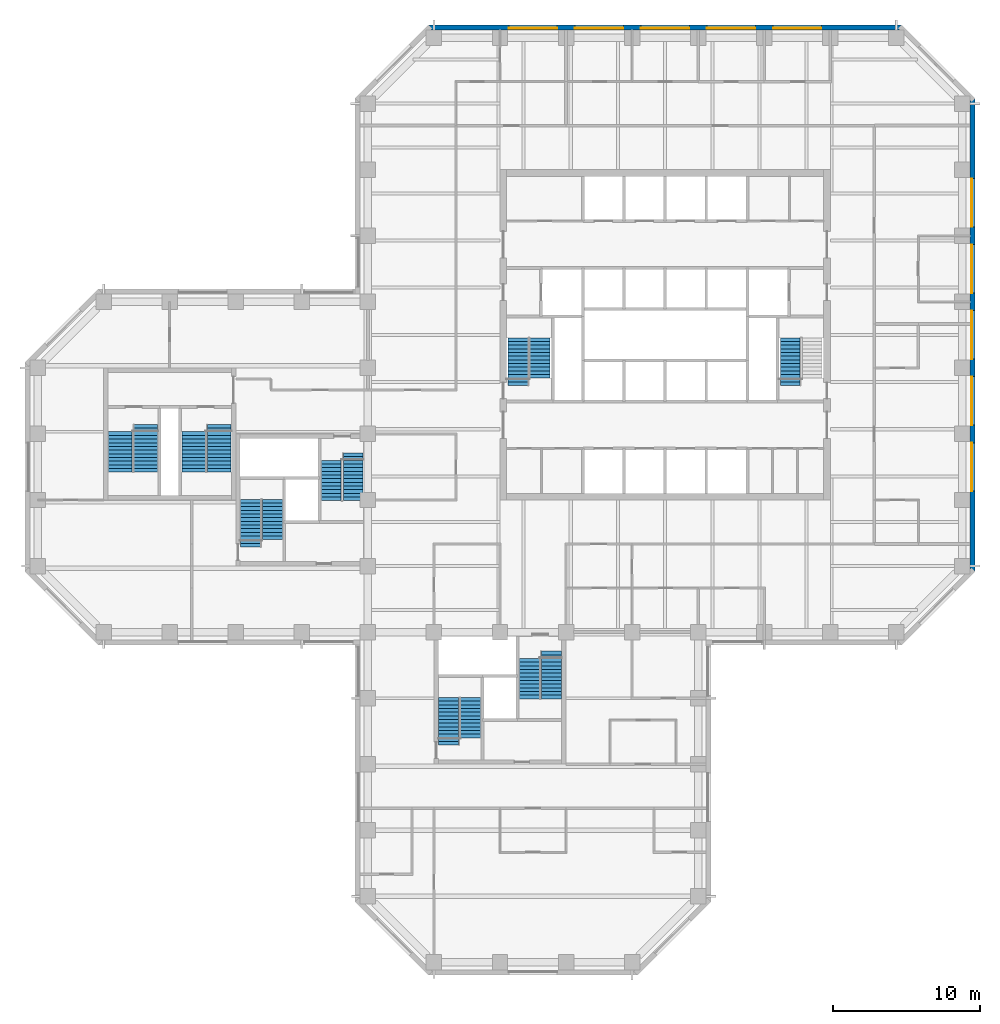
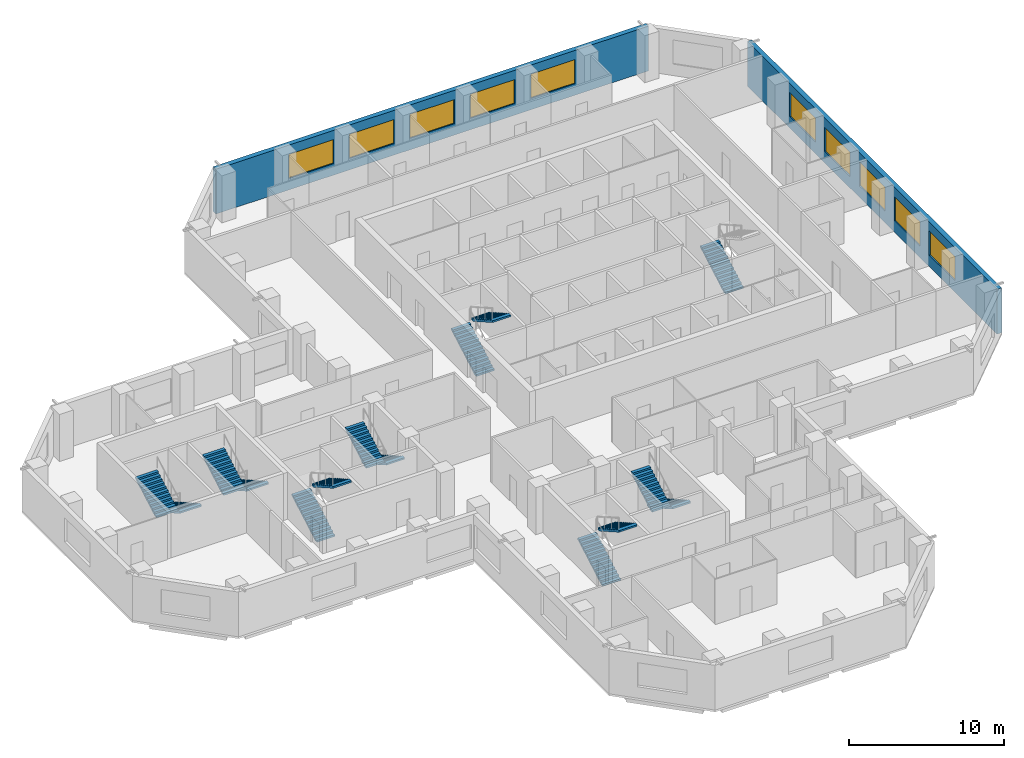
# One storey, part 9 of 11: 15 stair flights, 10 windows, 2 walls, 10 openings, 8 elements without a shape of their own.
"""IFC4 building model written with IfcOpenShell, lengths in metres."""

from ifc_helpers import new_model, si_unit, direction, frame, frame_2d, origin, place, context, subcontext, project, spatial, polyline, rectangle, outline, extrude, material, layer, layer_set, constituent, constituent_set, type_object, element, fill, aggregate, save


model = new_model("IFC4")

# Units and contexts
model_context = context("Model", 3, precision=1e-05, world=origin(), true_north=direction((0.0, 1.0)))
body_context = subcontext(model_context, "Body", "Model", "MODEL_VIEW")
ifc_project = project(units=[si_unit("LENGTHUNIT", "METRE"), si_unit("AREAUNIT", "SQUARE_METRE"), si_unit("VOLUMEUNIT", "CUBIC_METRE"), si_unit("PLANEANGLEUNIT", "RADIAN"), si_unit("MASSUNIT", "GRAM", prefix="KILO")], contexts=[model_context])

# Site, building, storey
site_placement = place(None, origin())
site = spatial("IfcSite", under=ifc_project, at=site_placement, CompositionType="ELEMENT")
building_placement = place(site_placement, origin())
building = spatial("IfcBuilding", under=site, at=building_placement, Name="Quoin Convention Tower", CompositionType="ELEMENT")
storey_placement = place(building_placement, frame((0.0, 0.0, 93.699951171875)))
storey = spatial("IfcBuildingStorey", under=building, at=storey_placement, Name="L24", CompositionType="ELEMENT", Elevation=93.699951171875)

# Wall, openings, windows
ifc_material_1 = material(Name="Brick masonry", Category="masonry")
ifc_layer = layer(ifc_material_1, 0.35009765625)
ifc_layer_set = layer_set([ifc_layer], Name="Brick masonry")
wall_type = type_object("IfcWallType", Name="Brick facade wall", PredefinedType="STANDARD", material=ifc_layer_set)
wall_1_placement = place(storey_placement, frame((77.199951171875, 44.6376953125, 0.0), z_axis=(0.0, 0.0, 1.0), x_axis=(0.0, 1.0, 0.0)))
wall_1 = element("IfcWall", 1, at=wall_1_placement, inside=storey, type_object=wall_type, Name="fw-L24-76500_45000", PredefinedType="STANDARD", context=body_context, shape_type="SweptSolid", body=[
    extrude(rectangle(XDim=32.224609375, YDim=0.35009765625, at=frame_2d((16.1123046875, 0.0))), origin(), (0.0, 0.0, 1.0), 3.525146484375),
])
opening_1_placement = place(wall_1_placement, frame((5.46240234375, 0.0, 0.89990234375)))
opening_1 = element("IfcOpeningElement", 2, at=opening_1_placement, cuts=wall_1, Name="Opening W-02", PredefinedType="OPENING", context=body_context, shape_type="SweptSolid", body=[
    extrude(rectangle(XDim=3.300048828125, YDim=1.89990234375, at=frame_2d((1.64990234375, 0.949951171875))), frame((0.0, 0.18505859375, 0.0), z_axis=(0.0, -1.0, 0.0), x_axis=(1.0, 0.0, 0.0)), (0.0, 0.0, 1.0), 0.3701171875),
])
opening_2_placement = place(wall_1_placement, frame((9.96240234375, 0.0, 0.89990234375)))
opening_2 = element("IfcOpeningElement", 3, at=opening_2_placement, cuts=wall_1, Name="Opening W-02", PredefinedType="OPENING", context=body_context, shape_type="SweptSolid", body=[
    extrude(rectangle(XDim=3.300048828125, YDim=1.89990234375, at=frame_2d((1.64990234375, 0.949951171875))), frame((0.0, 0.18505859375, 0.0), z_axis=(0.0, -1.0, 0.0), x_axis=(1.0, 0.0, 0.0)), (0.0, 0.0, 1.0), 0.3701171875),
])
opening_3_placement = place(wall_1_placement, frame((14.46240234375, 0.0, 0.89990234375)))
opening_3 = element("IfcOpeningElement", 4, at=opening_3_placement, cuts=wall_1, Name="Opening W-02", PredefinedType="OPENING", context=body_context, shape_type="SweptSolid", body=[
    extrude(rectangle(XDim=3.300048828125, YDim=1.89990234375, at=frame_2d((1.64990234375, 0.949951171875))), frame((0.0, 0.18505859375, 0.0), z_axis=(0.0, -1.0, 0.0), x_axis=(1.0, 0.0, 0.0)), (0.0, 0.0, 1.0), 0.3701171875),
])
opening_4_placement = place(wall_1_placement, frame((18.96240234375, 0.0, 0.89990234375)))
opening_4 = element("IfcOpeningElement", 5, at=opening_4_placement, cuts=wall_1, Name="Opening W-02", PredefinedType="OPENING", context=body_context, shape_type="SweptSolid", body=[
    extrude(rectangle(XDim=3.300048828125, YDim=1.89990234375, at=frame_2d((1.64990234375, 0.949951171875))), frame((0.0, 0.18505859375, 0.0), z_axis=(0.0, -1.0, 0.0), x_axis=(1.0, 0.0, 0.0)), (0.0, 0.0, 1.0), 0.3701171875),
])
opening_5_placement = place(wall_1_placement, frame((23.46240234375, 0.0, 0.89990234375)))
opening_5 = element("IfcOpeningElement", 6, at=opening_5_placement, cuts=wall_1, Name="Opening W-02", PredefinedType="OPENING", context=body_context, shape_type="SweptSolid", body=[
    extrude(rectangle(XDim=3.300048828125, YDim=1.89990234375, at=frame_2d((1.64990234375, 0.949951171875))), frame((0.0, 0.18505859375, 0.0), z_axis=(0.0, -1.0, 0.0), x_axis=(1.0, 0.0, 0.0)), (0.0, 0.0, 1.0), 0.3701171875),
])
ifc_material_2 = material(Name="Aluminium", Category="aluminium")
ifc_constituent_1 = constituent(ifc_material_2, Name="Frame")
ifc_material_3 = material(Name="Insulated glass", Category="glass")
ifc_constituent_2 = constituent(ifc_material_3, Name="Glazing")
ifc_constituent_set = constituent_set(constituents=[ifc_constituent_1, ifc_constituent_2], Name="Aluminium")
window_type = type_object("IfcWindowType", Name="Office window", PartitioningType="DOUBLE_PANEL_VERTICAL", PredefinedType="WINDOW", material=ifc_constituent_set)
window_1_placement = place(opening_1_placement, origin())
window_1 = element("IfcWindow", 7, at=window_1_placement, inside=storey, type_object=window_type, Name="win-L24-77200_51750", OverallHeight=1.89990234375, OverallWidth=3.300048828125, PartitioningType="SINGLE_PANEL", PredefinedType="WINDOW", context=body_context, shape_type="SweptSolid", body=[
    extrude(rectangle(XDim=3.300048828125, YDim=1.89990234375, at=frame_2d((1.64990234375, 0.949951171875))), frame((0.0, 0.0849609375, 0.0), z_axis=(0.0, -1.0, 0.0), x_axis=(1.0, 0.0, 0.0)), (0.0, 0.0, 1.0), 0.06005859375),
])
fill(opening_1, window_1)
window_2_placement = place(opening_2_placement, origin())
window_2 = element("IfcWindow", 8, at=window_2_placement, inside=storey, type_object=window_type, Name="win-L24-77200_56250", OverallHeight=1.89990234375, OverallWidth=3.300048828125, PartitioningType="SINGLE_PANEL", PredefinedType="WINDOW", context=body_context, shape_type="SweptSolid", body=[
    extrude(rectangle(XDim=3.300048828125, YDim=1.89990234375, at=frame_2d((1.64990234375, 0.949951171875))), frame((0.0, 0.0849609375, 0.0), z_axis=(0.0, -1.0, 0.0), x_axis=(1.0, 0.0, 0.0)), (0.0, 0.0, 1.0), 0.06005859375),
])
fill(opening_2, window_2)
window_3_placement = place(opening_3_placement, origin())
window_3 = element("IfcWindow", 9, at=window_3_placement, inside=storey, type_object=window_type, Name="win-L24-77200_60750", OverallHeight=1.89990234375, OverallWidth=3.300048828125, PartitioningType="SINGLE_PANEL", PredefinedType="WINDOW", context=body_context, shape_type="SweptSolid", body=[
    extrude(rectangle(XDim=3.300048828125, YDim=1.89990234375, at=frame_2d((1.64990234375, 0.949951171875))), frame((0.0, 0.0849609375, 0.0), z_axis=(0.0, -1.0, 0.0), x_axis=(1.0, 0.0, 0.0)), (0.0, 0.0, 1.0), 0.06005859375),
])
fill(opening_3, window_3)
window_4_placement = place(opening_4_placement, origin())
window_4 = element("IfcWindow", 10, at=window_4_placement, inside=storey, type_object=window_type, Name="win-L24-77200_65250", OverallHeight=1.89990234375, OverallWidth=3.300048828125, PartitioningType="SINGLE_PANEL", PredefinedType="WINDOW", context=body_context, shape_type="SweptSolid", body=[
    extrude(rectangle(XDim=3.300048828125, YDim=1.89990234375, at=frame_2d((1.64990234375, 0.949951171875))), frame((0.0, 0.0849609375, 0.0), z_axis=(0.0, -1.0, 0.0), x_axis=(1.0, 0.0, 0.0)), (0.0, 0.0, 1.0), 0.06005859375),
])
fill(opening_4, window_4)
window_5_placement = place(opening_5_placement, origin())
window_5 = element("IfcWindow", 11, at=window_5_placement, inside=storey, type_object=window_type, Name="win-L24-77200_69750", OverallHeight=1.89990234375, OverallWidth=3.300048828125, PartitioningType="SINGLE_PANEL", PredefinedType="WINDOW", context=body_context, shape_type="SweptSolid", body=[
    extrude(rectangle(XDim=3.300048828125, YDim=1.89990234375, at=frame_2d((1.64990234375, 0.949951171875))), frame((0.0, 0.0849609375, 0.0), z_axis=(0.0, -1.0, 0.0), x_axis=(1.0, 0.0, 0.0)), (0.0, 0.0, 1.0), 0.06005859375),
])
fill(opening_5, window_5)

wall_2_placement = place(storey_placement, frame((72.3623046875, 81.699951171875, 0.0), z_axis=(0.0, 0.0, 1.0), x_axis=(-1.0, 0.0, 0.0)))
wall_2 = element("IfcWall", 12, at=wall_2_placement, inside=storey, type_object=wall_type, Name="fw-L24-72000_81000", PredefinedType="STANDARD", context=body_context, shape_type="SweptSolid", body=[
    extrude(rectangle(XDim=32.224609375, YDim=0.35009765625, at=frame_2d((16.1123046875, 0.0))), origin(), (0.0, 0.0, 1.0), 3.525146484375),
])
opening_6_placement = place(wall_2_placement, frame((5.46240234375, 0.0, 0.89990234375)))
opening_6 = element("IfcOpeningElement", 13, at=opening_6_placement, cuts=wall_2, Name="Opening W-02", PredefinedType="OPENING", context=body_context, shape_type="SweptSolid", body=[
    extrude(rectangle(XDim=3.300048828125, YDim=1.89990234375, at=frame_2d((1.64990234375, 0.949951171875))), frame((0.0, 0.18505859375, 0.0), z_axis=(0.0, -1.0, 0.0), x_axis=(1.0, 0.0, 0.0)), (0.0, 0.0, 1.0), 0.3701171875),
])
opening_7_placement = place(wall_2_placement, frame((9.96240234375, 0.0, 0.89990234375)))
opening_7 = element("IfcOpeningElement", 14, at=opening_7_placement, cuts=wall_2, Name="Opening W-02", PredefinedType="OPENING", context=body_context, shape_type="SweptSolid", body=[
    extrude(rectangle(XDim=3.300048828125, YDim=1.89990234375, at=frame_2d((1.64990234375, 0.949951171875))), frame((0.0, 0.18505859375, 0.0), z_axis=(0.0, -1.0, 0.0), x_axis=(1.0, 0.0, 0.0)), (0.0, 0.0, 1.0), 0.3701171875),
])
opening_8_placement = place(wall_2_placement, frame((14.46240234375, 0.0, 0.89990234375)))
opening_8 = element("IfcOpeningElement", 15, at=opening_8_placement, cuts=wall_2, Name="Opening W-02", PredefinedType="OPENING", context=body_context, shape_type="SweptSolid", body=[
    extrude(rectangle(XDim=3.300048828125, YDim=1.89990234375, at=frame_2d((1.64990234375, 0.949951171875))), frame((0.0, 0.18505859375, 0.0), z_axis=(0.0, -1.0, 0.0), x_axis=(1.0, 0.0, 0.0)), (0.0, 0.0, 1.0), 0.3701171875),
])
opening_9_placement = place(wall_2_placement, frame((18.96240234375, 0.0, 0.89990234375)))
opening_9 = element("IfcOpeningElement", 16, at=opening_9_placement, cuts=wall_2, Name="Opening W-02", PredefinedType="OPENING", context=body_context, shape_type="SweptSolid", body=[
    extrude(rectangle(XDim=3.300048828125, YDim=1.89990234375, at=frame_2d((1.64990234375, 0.949951171875))), frame((0.0, 0.18505859375, 0.0), z_axis=(0.0, -1.0, 0.0), x_axis=(1.0, 0.0, 0.0)), (0.0, 0.0, 1.0), 0.3701171875),
])
opening_10_placement = place(wall_2_placement, frame((23.46240234375, 0.0, 0.89990234375)))
opening_10 = element("IfcOpeningElement", 17, at=opening_10_placement, cuts=wall_2, Name="Opening W-02", PredefinedType="OPENING", context=body_context, shape_type="SweptSolid", body=[
    extrude(rectangle(XDim=3.300048828125, YDim=1.89990234375, at=frame_2d((1.64990234375, 0.949951171875))), frame((0.0, 0.18505859375, 0.0), z_axis=(0.0, -1.0, 0.0), x_axis=(1.0, 0.0, 0.0)), (0.0, 0.0, 1.0), 0.3701171875),
])
window_6_placement = place(opening_6_placement, origin())
window_6 = element("IfcWindow", 18, at=window_6_placement, inside=storey, type_object=window_type, Name="win-L24-65250_81700", OverallHeight=1.89990234375, OverallWidth=3.300048828125, PartitioningType="SINGLE_PANEL", PredefinedType="WINDOW", context=body_context, shape_type="SweptSolid", body=[
    extrude(rectangle(XDim=3.300048828125, YDim=1.89990234375, at=frame_2d((1.64990234375, 0.949951171875))), frame((0.0, 0.0849609375, 0.0), z_axis=(0.0, -1.0, 0.0), x_axis=(1.0, 0.0, 0.0)), (0.0, 0.0, 1.0), 0.06005859375),
])
fill(opening_6, window_6)
window_7_placement = place(opening_7_placement, origin())
window_7 = element("IfcWindow", 19, at=window_7_placement, inside=storey, type_object=window_type, Name="win-L24-60750_81700", OverallHeight=1.89990234375, OverallWidth=3.300048828125, PartitioningType="SINGLE_PANEL", PredefinedType="WINDOW", context=body_context, shape_type="SweptSolid", body=[
    extrude(rectangle(XDim=3.300048828125, YDim=1.89990234375, at=frame_2d((1.64990234375, 0.949951171875))), frame((0.0, 0.0849609375, 0.0), z_axis=(0.0, -1.0, 0.0), x_axis=(1.0, 0.0, 0.0)), (0.0, 0.0, 1.0), 0.06005859375),
])
fill(opening_7, window_7)
window_8_placement = place(opening_8_placement, origin())
window_8 = element("IfcWindow", 20, at=window_8_placement, inside=storey, type_object=window_type, Name="win-L24-56250_81700", OverallHeight=1.89990234375, OverallWidth=3.300048828125, PartitioningType="SINGLE_PANEL", PredefinedType="WINDOW", context=body_context, shape_type="SweptSolid", body=[
    extrude(rectangle(XDim=3.300048828125, YDim=1.89990234375, at=frame_2d((1.64990234375, 0.949951171875))), frame((0.0, 0.0849609375, 0.0), z_axis=(0.0, -1.0, 0.0), x_axis=(1.0, 0.0, 0.0)), (0.0, 0.0, 1.0), 0.06005859375),
])
fill(opening_8, window_8)
window_9_placement = place(opening_9_placement, origin())
window_9 = element("IfcWindow", 21, at=window_9_placement, inside=storey, type_object=window_type, Name="win-L24-51750_81700", OverallHeight=1.89990234375, OverallWidth=3.300048828125, PartitioningType="SINGLE_PANEL", PredefinedType="WINDOW", context=body_context, shape_type="SweptSolid", body=[
    extrude(rectangle(XDim=3.300048828125, YDim=1.89990234375, at=frame_2d((1.64990234375, 0.949951171875))), frame((0.0, 0.0849609375, 0.0), z_axis=(0.0, -1.0, 0.0), x_axis=(1.0, 0.0, 0.0)), (0.0, 0.0, 1.0), 0.06005859375),
])
fill(opening_9, window_9)
window_10_placement = place(opening_10_placement, origin())
window_10 = element("IfcWindow", 22, at=window_10_placement, inside=storey, type_object=window_type, Name="win-L24-47250_81700", OverallHeight=1.89990234375, OverallWidth=3.300048828125, PartitioningType="SINGLE_PANEL", PredefinedType="WINDOW", context=body_context, shape_type="SweptSolid", body=[
    extrude(rectangle(XDim=3.300048828125, YDim=1.89990234375, at=frame_2d((1.64990234375, 0.949951171875))), frame((0.0, 0.0849609375, 0.0), z_axis=(0.0, -1.0, 0.0), x_axis=(1.0, 0.0, 0.0)), (0.0, 0.0, 1.0), 0.06005859375),
])
fill(opening_10, window_10)

# Stair, stair flights
ifc_material_4 = material(Name="Concrete C40", Category="concrete")
stair_type_1 = type_object("IfcStairType", Name="Exit stair two-flight 1350", PredefinedType="HALF_TURN_STAIR", material=ifc_material_4)
stair_1_placement = place(storey_placement, origin())
stair_1 = element("IfcStair", 23, at=stair_1_placement, inside=storey, type_object=stair_type_1, Name="SD1 L24", PredefinedType="HALF_TURN_STAIR")
stair_flight_type_1 = type_object("IfcStairFlightType", Name="Stair flight 1350", PredefinedType="STRAIGHT", material=ifc_material_4)
stair_flight_1_placement = place(storey_placement, frame((46.22509765625, 57.300048828125, 0.0), z_axis=(0.0, 0.0, 1.0), x_axis=(0.0, 1.0, 0.0)))
stair_flight_1 = element("IfcStairFlight", 24, at=stair_flight_1_placement, type_object=stair_flight_type_1, Name="ST1 flight 1", NumberOfRisers=14, NumberOfTreads=13, PredefinedType="STRAIGHT", RiserHeight=0.142307692, TreadLength=0.25, context=body_context, shape_type="SweptSolid", body=[
    extrude(outline(polyline([(0.0, 0.0), (0.0, 0.142333984375), (0.25, 0.142333984375), (0.25, 0.28466796875), (0.5, 0.28466796875), (0.5, 0.427001953125), (0.75, 0.427001953125), (0.75, 0.5693359375), (1.0, 0.5693359375), (1.0, 0.71142578125), (1.25, 0.71142578125), (1.25, 0.853759765625), (1.5, 0.853759765625), (1.5, 0.99609375), (1.75, 0.99609375), (1.75, 1.138427734375), (2.0, 1.138427734375), (2.0, 1.28076171875), (2.25, 1.28076171875), (2.25, 1.423095703125), (2.5, 1.423095703125), (2.5, 1.5654296875), (2.75, 1.5654296875), (2.75, 1.707763671875), (3.0, 1.707763671875), (3.0, 1.85009765625), (3.25, 1.85009765625), (3.25, 1.9921875), (3.25, 1.711669921875), (0.242919921875, 0.0), (0.0, 0.0)])), frame((0.0, 0.675048828125, 0.0), z_axis=(0.0, -1.0, 0.0), x_axis=(1.0, 0.0, 0.0)), (0.0, 0.0, 1.0), 1.35009765625),
])
stair_flight_2_placement = place(storey_placement, frame((47.72509765625, 60.550048828125, 1.992431640625), z_axis=(0.0, 0.0, 1.0), x_axis=(0.0, -1.0, 0.0)))
stair_flight_2 = element("IfcStairFlight", 25, at=stair_flight_2_placement, type_object=stair_flight_type_1, Name="ST1 flight 2", NumberOfRisers=12, NumberOfTreads=11, PredefinedType="STRAIGHT", RiserHeight=0.142307692, TreadLength=0.25, context=body_context, shape_type="SweptSolid", body=[
    extrude(outline(polyline([(0.0, 0.0), (0.0, 0.142333984375), (0.25, 0.142333984375), (0.25, 0.28466796875), (0.5, 0.28466796875), (0.5, 0.427001953125), (0.75, 0.427001953125), (0.75, 0.5693359375), (1.0, 0.5693359375), (1.0, 0.71142578125), (1.25, 0.71142578125), (1.25, 0.853759765625), (1.5, 0.853759765625), (1.5, 0.99609375), (1.75, 0.99609375), (1.75, 1.138427734375), (2.0, 1.138427734375), (2.0, 1.28076171875), (2.25, 1.28076171875), (2.25, 1.423095703125), (2.5, 1.423095703125), (2.5, 1.5654296875), (2.75, 1.5654296875), (2.75, 1.707763671875), (2.75, 1.42724609375), (0.242919921875, 0.0), (0.0, 0.0)])), frame((0.0, 0.675048828125, 0.0), z_axis=(0.0, -1.0, 0.0), x_axis=(1.0, 0.0, 0.0)), (0.0, 0.0, 1.0), 1.35009765625),
])
aggregate(stair_1, [stair_flight_1, stair_flight_2])

# Stair, stair flight
stair_2_placement = place(storey_placement, origin())
stair_2 = element("IfcStair", 26, at=stair_2_placement, inside=storey, type_object=stair_type_1, Name="SD2 L24", PredefinedType="HALF_TURN_STAIR")
stair_flight_3_placement = place(storey_placement, frame((64.77490234375, 57.300048828125, 0.0), z_axis=(0.0, 0.0, 1.0), x_axis=(0.0, 1.0, 0.0)))
stair_flight_3 = element("IfcStairFlight", 27, at=stair_flight_3_placement, type_object=stair_flight_type_1, Name="ST2 flight 1", NumberOfRisers=14, NumberOfTreads=13, PredefinedType="STRAIGHT", RiserHeight=0.142307692, TreadLength=0.25, context=body_context, shape_type="SweptSolid", body=[
    extrude(outline(polyline([(0.0, 0.0), (0.0, 0.142333984375), (0.25, 0.142333984375), (0.25, 0.28466796875), (0.5, 0.28466796875), (0.5, 0.427001953125), (0.75, 0.427001953125), (0.75, 0.5693359375), (1.0, 0.5693359375), (1.0, 0.71142578125), (1.25, 0.71142578125), (1.25, 0.853759765625), (1.5, 0.853759765625), (1.5, 0.99609375), (1.75, 0.99609375), (1.75, 1.138427734375), (2.0, 1.138427734375), (2.0, 1.28076171875), (2.25, 1.28076171875), (2.25, 1.423095703125), (2.5, 1.423095703125), (2.5, 1.5654296875), (2.75, 1.5654296875), (2.75, 1.707763671875), (3.0, 1.707763671875), (3.0, 1.85009765625), (3.25, 1.85009765625), (3.25, 1.9921875), (3.25, 1.711669921875), (0.242919921875, 0.0), (0.0, 0.0)])), frame((0.0, 0.675048828125, 0.0), z_axis=(0.0, -1.0, 0.0), x_axis=(1.0, 0.0, 0.0)), (0.0, 0.0, 1.0), 1.35009765625),
])
aggregate(stair_2, [stair_flight_3])

# Stair, stair flights
stair_3_placement = place(storey_placement, origin())
stair_3 = element("IfcStair", 28, at=stair_3_placement, inside=storey, type_object=stair_type_1, Name="SD3 L24", PredefinedType="HALF_TURN_STAIR")
stair_flight_4_placement = place(storey_placement, frame((28.0, 46.300048828125, 0.0), z_axis=(0.0, 0.0, 1.0), x_axis=(0.0, 1.0, 0.0)))
stair_flight_4 = element("IfcStairFlight", 29, at=stair_flight_4_placement, type_object=stair_flight_type_1, Name="ST3 flight 1", NumberOfRisers=14, NumberOfTreads=13, PredefinedType="STRAIGHT", RiserHeight=0.142307692, TreadLength=0.25, context=body_context, shape_type="SweptSolid", body=[
    extrude(outline(polyline([(0.0, 0.0), (0.0, 0.142333984375), (0.25, 0.142333984375), (0.25, 0.28466796875), (0.5, 0.28466796875), (0.5, 0.427001953125), (0.75, 0.427001953125), (0.75, 0.5693359375), (1.0, 0.5693359375), (1.0, 0.71142578125), (1.25, 0.71142578125), (1.25, 0.853759765625), (1.5, 0.853759765625), (1.5, 0.99609375), (1.75, 0.99609375), (1.75, 1.138427734375), (2.0, 1.138427734375), (2.0, 1.28076171875), (2.25, 1.28076171875), (2.25, 1.423095703125), (2.5, 1.423095703125), (2.5, 1.5654296875), (2.75, 1.5654296875), (2.75, 1.707763671875), (3.0, 1.707763671875), (3.0, 1.85009765625), (3.25, 1.85009765625), (3.25, 1.9921875), (3.25, 1.711669921875), (0.242919921875, 0.0), (0.0, 0.0)])), frame((0.0, 0.675048828125, 0.0), z_axis=(0.0, -1.0, 0.0), x_axis=(1.0, 0.0, 0.0)), (0.0, 0.0, 1.0), 1.35009765625),
])
stair_flight_5_placement = place(storey_placement, frame((29.5, 49.550048828125, 1.992431640625), z_axis=(0.0, 0.0, 1.0), x_axis=(0.0, -1.0, 0.0)))
stair_flight_5 = element("IfcStairFlight", 30, at=stair_flight_5_placement, type_object=stair_flight_type_1, Name="ST3 flight 2", NumberOfRisers=12, NumberOfTreads=11, PredefinedType="STRAIGHT", RiserHeight=0.142307692, TreadLength=0.25, context=body_context, shape_type="SweptSolid", body=[
    extrude(outline(polyline([(0.0, 0.0), (0.0, 0.142333984375), (0.25, 0.142333984375), (0.25, 0.28466796875), (0.5, 0.28466796875), (0.5, 0.427001953125), (0.75, 0.427001953125), (0.75, 0.5693359375), (1.0, 0.5693359375), (1.0, 0.71142578125), (1.25, 0.71142578125), (1.25, 0.853759765625), (1.5, 0.853759765625), (1.5, 0.99609375), (1.75, 0.99609375), (1.75, 1.138427734375), (2.0, 1.138427734375), (2.0, 1.28076171875), (2.25, 1.28076171875), (2.25, 1.423095703125), (2.5, 1.423095703125), (2.5, 1.5654296875), (2.75, 1.5654296875), (2.75, 1.707763671875), (2.75, 1.42724609375), (0.242919921875, 0.0), (0.0, 0.0)])), frame((0.0, 0.675048828125, 0.0), z_axis=(0.0, -1.0, 0.0), x_axis=(1.0, 0.0, 0.0)), (0.0, 0.0, 1.0), 1.35009765625),
])
aggregate(stair_3, [stair_flight_4, stair_flight_5])

stair_4_placement = place(storey_placement, origin())
stair_4 = element("IfcStair", 31, at=stair_4_placement, inside=storey, type_object=stair_type_1, Name="SD4 L24", PredefinedType="HALF_TURN_STAIR")
stair_flight_6_placement = place(storey_placement, frame((35.0, 52.699951171875, 0.0), z_axis=(0.0, 0.0, 1.0), x_axis=(0.0, -1.0, 0.0)))
stair_flight_6 = element("IfcStairFlight", 32, at=stair_flight_6_placement, type_object=stair_flight_type_1, Name="ST4 flight 1", NumberOfRisers=14, NumberOfTreads=13, PredefinedType="STRAIGHT", RiserHeight=0.142307692, TreadLength=0.25, context=body_context, shape_type="SweptSolid", body=[
    extrude(outline(polyline([(0.0, 0.0), (0.0, 0.142333984375), (0.25, 0.142333984375), (0.25, 0.28466796875), (0.5, 0.28466796875), (0.5, 0.427001953125), (0.75, 0.427001953125), (0.75, 0.5693359375), (1.0, 0.5693359375), (1.0, 0.71142578125), (1.25, 0.71142578125), (1.25, 0.853759765625), (1.5, 0.853759765625), (1.5, 0.99609375), (1.75, 0.99609375), (1.75, 1.138427734375), (2.0, 1.138427734375), (2.0, 1.28076171875), (2.25, 1.28076171875), (2.25, 1.423095703125), (2.5, 1.423095703125), (2.5, 1.5654296875), (2.75, 1.5654296875), (2.75, 1.707763671875), (3.0, 1.707763671875), (3.0, 1.85009765625), (3.25, 1.85009765625), (3.25, 1.9921875), (3.25, 1.711669921875), (0.242919921875, 0.0), (0.0, 0.0)])), frame((0.0, 0.675048828125, 0.0), z_axis=(0.0, -1.0, 0.0), x_axis=(1.0, 0.0, 0.0)), (0.0, 0.0, 1.0), 1.35009765625),
])
stair_flight_7_placement = place(storey_placement, frame((33.5, 49.449951171875, 1.992431640625), z_axis=(0.0, 0.0, 1.0), x_axis=(0.0, 1.0, 0.0)))
stair_flight_7 = element("IfcStairFlight", 33, at=stair_flight_7_placement, type_object=stair_flight_type_1, Name="ST4 flight 2", NumberOfRisers=12, NumberOfTreads=11, PredefinedType="STRAIGHT", RiserHeight=0.142307692, TreadLength=0.25, context=body_context, shape_type="SweptSolid", body=[
    extrude(outline(polyline([(0.0, 0.0), (0.0, 0.142333984375), (0.25, 0.142333984375), (0.25, 0.28466796875), (0.5, 0.28466796875), (0.5, 0.427001953125), (0.75, 0.427001953125), (0.75, 0.5693359375), (1.0, 0.5693359375), (1.0, 0.71142578125), (1.25, 0.71142578125), (1.25, 0.853759765625), (1.5, 0.853759765625), (1.5, 0.99609375), (1.75, 0.99609375), (1.75, 1.138427734375), (2.0, 1.138427734375), (2.0, 1.28076171875), (2.25, 1.28076171875), (2.25, 1.423095703125), (2.5, 1.423095703125), (2.5, 1.5654296875), (2.75, 1.5654296875), (2.75, 1.707763671875), (2.75, 1.42724609375), (0.242919921875, 0.0), (0.0, 0.0)])), frame((0.0, 0.675048828125, 0.0), z_axis=(0.0, -1.0, 0.0), x_axis=(1.0, 0.0, 0.0)), (0.0, 0.0, 1.0), 1.35009765625),
])
aggregate(stair_4, [stair_flight_6, stair_flight_7])

stair_5_placement = place(storey_placement, origin())
stair_5 = element("IfcStair", 34, at=stair_5_placement, inside=storey, type_object=stair_type_1, Name="SD5 L24", PredefinedType="HALF_TURN_STAIR")
stair_flight_8_placement = place(storey_placement, frame((41.5, 32.800048828125, 0.0), z_axis=(0.0, 0.0, 1.0), x_axis=(0.0, 1.0, 0.0)))
stair_flight_8 = element("IfcStairFlight", 35, at=stair_flight_8_placement, type_object=stair_flight_type_1, Name="ST5 flight 1", NumberOfRisers=14, NumberOfTreads=13, PredefinedType="STRAIGHT", RiserHeight=0.142307692, TreadLength=0.25, context=body_context, shape_type="SweptSolid", body=[
    extrude(outline(polyline([(0.0, 0.0), (0.0, 0.142333984375), (0.25, 0.142333984375), (0.25, 0.28466796875), (0.5, 0.28466796875), (0.5, 0.427001953125), (0.75, 0.427001953125), (0.75, 0.5693359375), (1.0, 0.5693359375), (1.0, 0.71142578125), (1.25, 0.71142578125), (1.25, 0.853759765625), (1.5, 0.853759765625), (1.5, 0.99609375), (1.75, 0.99609375), (1.75, 1.138427734375), (2.0, 1.138427734375), (2.0, 1.28076171875), (2.25, 1.28076171875), (2.25, 1.423095703125), (2.5, 1.423095703125), (2.5, 1.5654296875), (2.75, 1.5654296875), (2.75, 1.707763671875), (3.0, 1.707763671875), (3.0, 1.85009765625), (3.25, 1.85009765625), (3.25, 1.9921875), (3.25, 1.711669921875), (0.242919921875, 0.0), (0.0, 0.0)])), frame((0.0, 0.675048828125, 0.0), z_axis=(0.0, -1.0, 0.0), x_axis=(1.0, 0.0, 0.0)), (0.0, 0.0, 1.0), 1.35009765625),
])
stair_flight_9_placement = place(storey_placement, frame((43.0, 36.050048828125, 1.992431640625), z_axis=(0.0, 0.0, 1.0), x_axis=(0.0, -1.0, 0.0)))
stair_flight_9 = element("IfcStairFlight", 36, at=stair_flight_9_placement, type_object=stair_flight_type_1, Name="ST5 flight 2", NumberOfRisers=12, NumberOfTreads=11, PredefinedType="STRAIGHT", RiserHeight=0.142307692, TreadLength=0.25, context=body_context, shape_type="SweptSolid", body=[
    extrude(outline(polyline([(0.0, 0.0), (0.0, 0.142333984375), (0.25, 0.142333984375), (0.25, 0.28466796875), (0.5, 0.28466796875), (0.5, 0.427001953125), (0.75, 0.427001953125), (0.75, 0.5693359375), (1.0, 0.5693359375), (1.0, 0.71142578125), (1.25, 0.71142578125), (1.25, 0.853759765625), (1.5, 0.853759765625), (1.5, 0.99609375), (1.75, 0.99609375), (1.75, 1.138427734375), (2.0, 1.138427734375), (2.0, 1.28076171875), (2.25, 1.28076171875), (2.25, 1.423095703125), (2.5, 1.423095703125), (2.5, 1.5654296875), (2.75, 1.5654296875), (2.75, 1.707763671875), (2.75, 1.42724609375), (0.242919921875, 0.0), (0.0, 0.0)])), frame((0.0, 0.675048828125, 0.0), z_axis=(0.0, -1.0, 0.0), x_axis=(1.0, 0.0, 0.0)), (0.0, 0.0, 1.0), 1.35009765625),
])
aggregate(stair_5, [stair_flight_8, stair_flight_9])

stair_6_placement = place(storey_placement, origin())
stair_6 = element("IfcStair", 37, at=stair_6_placement, inside=storey, type_object=stair_type_1, Name="SD6 L24", PredefinedType="HALF_TURN_STAIR")
stair_flight_10_placement = place(storey_placement, frame((48.5, 39.199951171875, 0.0), z_axis=(0.0, 0.0, 1.0), x_axis=(0.0, -1.0, 0.0)))
stair_flight_10 = element("IfcStairFlight", 38, at=stair_flight_10_placement, type_object=stair_flight_type_1, Name="ST6 flight 1", NumberOfRisers=14, NumberOfTreads=13, PredefinedType="STRAIGHT", RiserHeight=0.142307692, TreadLength=0.25, context=body_context, shape_type="SweptSolid", body=[
    extrude(outline(polyline([(0.0, 0.0), (0.0, 0.142333984375), (0.25, 0.142333984375), (0.25, 0.28466796875), (0.5, 0.28466796875), (0.5, 0.427001953125), (0.75, 0.427001953125), (0.75, 0.5693359375), (1.0, 0.5693359375), (1.0, 0.71142578125), (1.25, 0.71142578125), (1.25, 0.853759765625), (1.5, 0.853759765625), (1.5, 0.99609375), (1.75, 0.99609375), (1.75, 1.138427734375), (2.0, 1.138427734375), (2.0, 1.28076171875), (2.25, 1.28076171875), (2.25, 1.423095703125), (2.5, 1.423095703125), (2.5, 1.5654296875), (2.75, 1.5654296875), (2.75, 1.707763671875), (3.0, 1.707763671875), (3.0, 1.85009765625), (3.25, 1.85009765625), (3.25, 1.9921875), (3.25, 1.711669921875), (0.242919921875, 0.0), (0.0, 0.0)])), frame((0.0, 0.675048828125, 0.0), z_axis=(0.0, -1.0, 0.0), x_axis=(1.0, 0.0, 0.0)), (0.0, 0.0, 1.0), 1.35009765625),
])
stair_flight_11_placement = place(storey_placement, frame((47.0, 35.949951171875, 1.992431640625), z_axis=(0.0, 0.0, 1.0), x_axis=(0.0, 1.0, 0.0)))
stair_flight_11 = element("IfcStairFlight", 39, at=stair_flight_11_placement, type_object=stair_flight_type_1, Name="ST6 flight 2", NumberOfRisers=12, NumberOfTreads=11, PredefinedType="STRAIGHT", RiserHeight=0.142307692, TreadLength=0.25, context=body_context, shape_type="SweptSolid", body=[
    extrude(outline(polyline([(0.0, 0.0), (0.0, 0.142333984375), (0.25, 0.142333984375), (0.25, 0.28466796875), (0.5, 0.28466796875), (0.5, 0.427001953125), (0.75, 0.427001953125), (0.75, 0.5693359375), (1.0, 0.5693359375), (1.0, 0.71142578125), (1.25, 0.71142578125), (1.25, 0.853759765625), (1.5, 0.853759765625), (1.5, 0.99609375), (1.75, 0.99609375), (1.75, 1.138427734375), (2.0, 1.138427734375), (2.0, 1.28076171875), (2.25, 1.28076171875), (2.25, 1.423095703125), (2.5, 1.423095703125), (2.5, 1.5654296875), (2.75, 1.5654296875), (2.75, 1.707763671875), (2.75, 1.42724609375), (0.242919921875, 0.0), (0.0, 0.0)])), frame((0.0, 0.675048828125, 0.0), z_axis=(0.0, -1.0, 0.0), x_axis=(1.0, 0.0, 0.0)), (0.0, 0.0, 1.0), 1.35009765625),
])
aggregate(stair_6, [stair_flight_10, stair_flight_11])

stair_type_2 = type_object("IfcStairType", Name="Exit stair two-flight 1600", PredefinedType="HALF_TURN_STAIR", material=ifc_material_4)
stair_7_placement = place(storey_placement, origin())
stair_7 = element("IfcStair", 40, at=stair_7_placement, inside=storey, type_object=stair_type_2, Name="SD11 L24", PredefinedType="HALF_TURN_STAIR")
stair_flight_type_2 = type_object("IfcStairFlightType", Name="Stair flight 1600", PredefinedType="STRAIGHT", material=ifc_material_4)
stair_flight_12_placement = place(storey_placement, frame((20.875, 54.64990234375, 0.0), z_axis=(0.0, 0.0, 1.0), x_axis=(0.0, -1.0, 0.0)))
stair_flight_12 = element("IfcStairFlight", 41, at=stair_flight_12_placement, type_object=stair_flight_type_2, Name="ST11 flight 1", NumberOfRisers=14, NumberOfTreads=13, PredefinedType="STRAIGHT", RiserHeight=0.142307692, TreadLength=0.25, context=body_context, shape_type="SweptSolid", body=[
    extrude(outline(polyline([(0.0, 0.0), (0.0, 0.142333984375), (0.25, 0.142333984375), (0.25, 0.28466796875), (0.5, 0.28466796875), (0.5, 0.427001953125), (0.75, 0.427001953125), (0.75, 0.5693359375), (1.0, 0.5693359375), (1.0, 0.71142578125), (1.25, 0.71142578125), (1.25, 0.853759765625), (1.5, 0.853759765625), (1.5, 0.99609375), (1.75, 0.99609375), (1.75, 1.138427734375), (2.0, 1.138427734375), (2.0, 1.28076171875), (2.25, 1.28076171875), (2.25, 1.423095703125), (2.5, 1.423095703125), (2.5, 1.5654296875), (2.75, 1.5654296875), (2.75, 1.707763671875), (3.0, 1.707763671875), (3.0, 1.85009765625), (3.25, 1.85009765625), (3.25, 1.9921875), (3.25, 1.711669921875), (0.242919921875, 0.0), (0.0, 0.0)])), frame((0.0, 0.800048828125, 0.0), z_axis=(0.0, -1.0, 0.0), x_axis=(1.0, 0.0, 0.0)), (0.0, 0.0, 1.0), 1.60009765625),
])
stair_flight_13_placement = place(storey_placement, frame((19.125, 51.39990234375, 1.992431640625), z_axis=(0.0, 0.0, 1.0), x_axis=(0.0, 1.0, 0.0)))
stair_flight_13 = element("IfcStairFlight", 42, at=stair_flight_13_placement, type_object=stair_flight_type_2, Name="ST11 flight 2", NumberOfRisers=12, NumberOfTreads=11, PredefinedType="STRAIGHT", RiserHeight=0.142307692, TreadLength=0.25, context=body_context, shape_type="SweptSolid", body=[
    extrude(outline(polyline([(0.0, 0.0), (0.0, 0.142333984375), (0.25, 0.142333984375), (0.25, 0.28466796875), (0.5, 0.28466796875), (0.5, 0.427001953125), (0.75, 0.427001953125), (0.75, 0.5693359375), (1.0, 0.5693359375), (1.0, 0.71142578125), (1.25, 0.71142578125), (1.25, 0.853759765625), (1.5, 0.853759765625), (1.5, 0.99609375), (1.75, 0.99609375), (1.75, 1.138427734375), (2.0, 1.138427734375), (2.0, 1.28076171875), (2.25, 1.28076171875), (2.25, 1.423095703125), (2.5, 1.423095703125), (2.5, 1.5654296875), (2.75, 1.5654296875), (2.75, 1.707763671875), (2.75, 1.42724609375), (0.242919921875, 0.0), (0.0, 0.0)])), frame((0.0, 0.800048828125, 0.0), z_axis=(0.0, -1.0, 0.0), x_axis=(1.0, 0.0, 0.0)), (0.0, 0.0, 1.0), 1.60009765625),
])
aggregate(stair_7, [stair_flight_12, stair_flight_13])

stair_8_placement = place(storey_placement, origin())
stair_8 = element("IfcStair", 43, at=stair_8_placement, inside=storey, type_object=stair_type_2, Name="SD12 L24", PredefinedType="HALF_TURN_STAIR")
stair_flight_14_placement = place(storey_placement, frame((25.875, 54.64990234375, 0.0), z_axis=(0.0, 0.0, 1.0), x_axis=(0.0, -1.0, 0.0)))
stair_flight_14 = element("IfcStairFlight", 44, at=stair_flight_14_placement, type_object=stair_flight_type_2, Name="ST12 flight 1", NumberOfRisers=14, NumberOfTreads=13, PredefinedType="STRAIGHT", RiserHeight=0.142307692, TreadLength=0.25, context=body_context, shape_type="SweptSolid", body=[
    extrude(outline(polyline([(0.0, 0.0), (0.0, 0.142333984375), (0.25, 0.142333984375), (0.25, 0.28466796875), (0.5, 0.28466796875), (0.5, 0.427001953125), (0.75, 0.427001953125), (0.75, 0.5693359375), (1.0, 0.5693359375), (1.0, 0.71142578125), (1.25, 0.71142578125), (1.25, 0.853759765625), (1.5, 0.853759765625), (1.5, 0.99609375), (1.75, 0.99609375), (1.75, 1.138427734375), (2.0, 1.138427734375), (2.0, 1.28076171875), (2.25, 1.28076171875), (2.25, 1.423095703125), (2.5, 1.423095703125), (2.5, 1.5654296875), (2.75, 1.5654296875), (2.75, 1.707763671875), (3.0, 1.707763671875), (3.0, 1.85009765625), (3.25, 1.85009765625), (3.25, 1.9921875), (3.25, 1.711669921875), (0.242919921875, 0.0), (0.0, 0.0)])), frame((0.0, 0.800048828125, 0.0), z_axis=(0.0, -1.0, 0.0), x_axis=(1.0, 0.0, 0.0)), (0.0, 0.0, 1.0), 1.60009765625),
])
stair_flight_15_placement = place(storey_placement, frame((24.125, 51.39990234375, 1.992431640625), z_axis=(0.0, 0.0, 1.0), x_axis=(0.0, 1.0, 0.0)))
stair_flight_15 = element("IfcStairFlight", 45, at=stair_flight_15_placement, type_object=stair_flight_type_2, Name="ST12 flight 2", NumberOfRisers=12, NumberOfTreads=11, PredefinedType="STRAIGHT", RiserHeight=0.142307692, TreadLength=0.25, context=body_context, shape_type="SweptSolid", body=[
    extrude(outline(polyline([(0.0, 0.0), (0.0, 0.142333984375), (0.25, 0.142333984375), (0.25, 0.28466796875), (0.5, 0.28466796875), (0.5, 0.427001953125), (0.75, 0.427001953125), (0.75, 0.5693359375), (1.0, 0.5693359375), (1.0, 0.71142578125), (1.25, 0.71142578125), (1.25, 0.853759765625), (1.5, 0.853759765625), (1.5, 0.99609375), (1.75, 0.99609375), (1.75, 1.138427734375), (2.0, 1.138427734375), (2.0, 1.28076171875), (2.25, 1.28076171875), (2.25, 1.423095703125), (2.5, 1.423095703125), (2.5, 1.5654296875), (2.75, 1.5654296875), (2.75, 1.707763671875), (2.75, 1.42724609375), (0.242919921875, 0.0), (0.0, 0.0)])), frame((0.0, 0.800048828125, 0.0), z_axis=(0.0, -1.0, 0.0), x_axis=(1.0, 0.0, 0.0)), (0.0, 0.0, 1.0), 1.60009765625),
])
aggregate(stair_8, [stair_flight_14, stair_flight_15])

save(model, "model.ifc")
